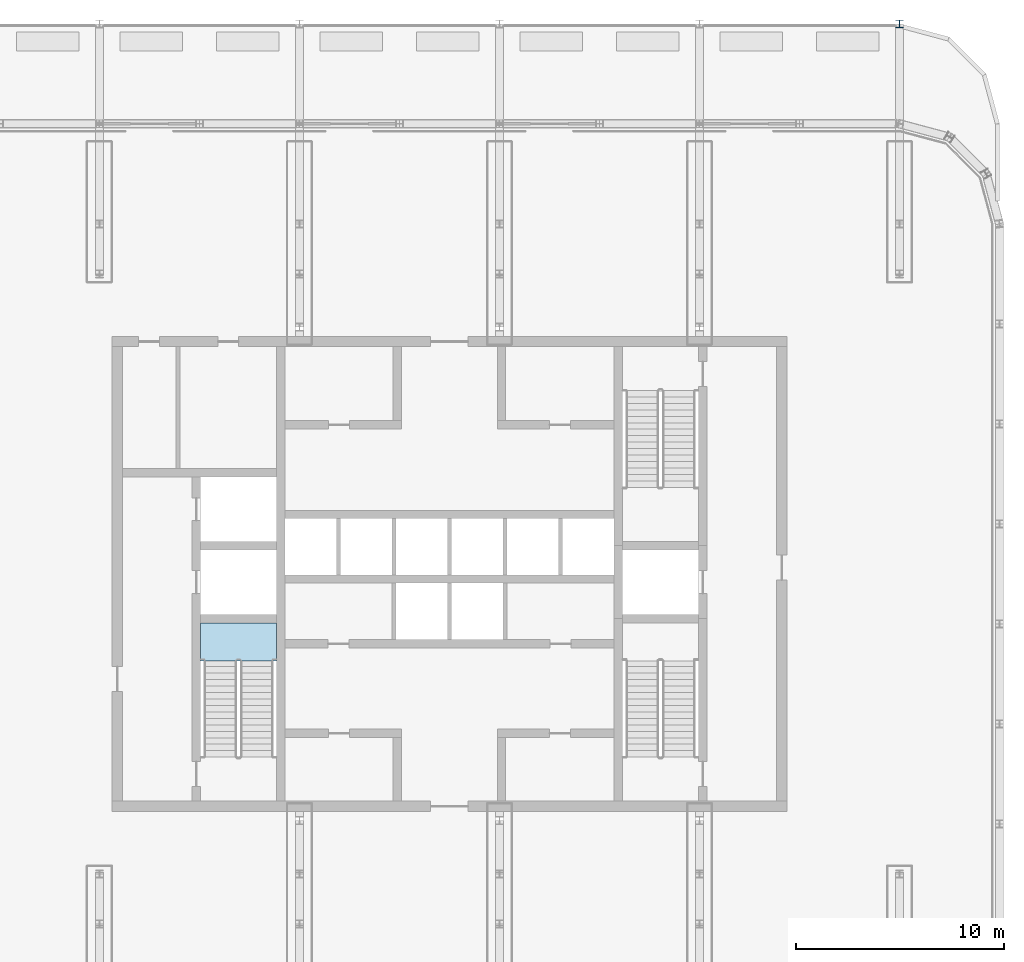
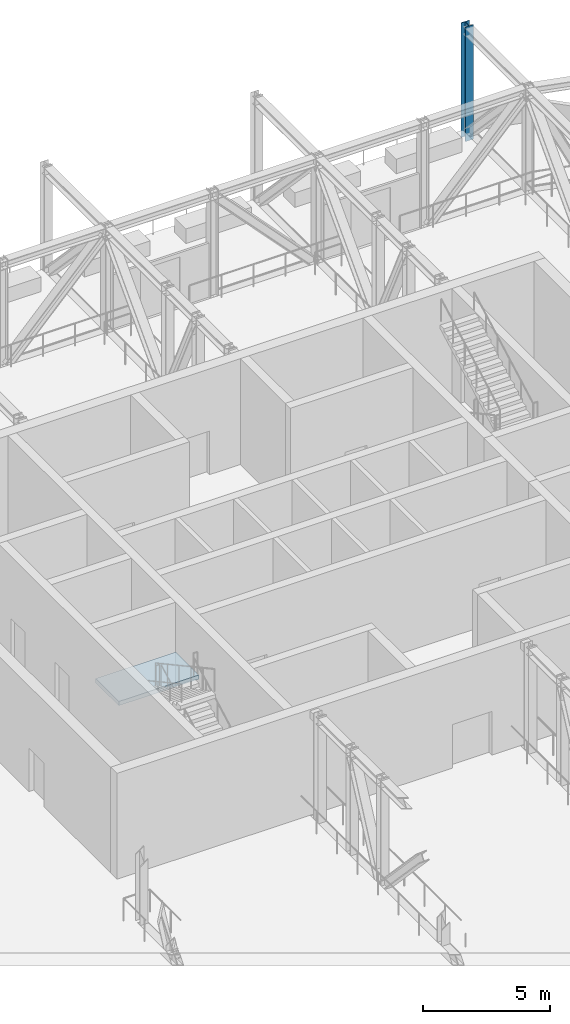
# One storey, part 7 of 16: 1 member, 1 slab, 1 element without a shape of its own.
"""IFC4 building model written with IfcOpenShell, lengths in metres."""

from ifc_helpers import new_model, si_unit, direction, frame, origin, origin_2d, place, context, subcontext, project, spatial, polyline, i_section, outline, extrude, material, layer, layer_set, material_profile, profile_set, type_object, element, aggregate, save


model = new_model("IFC4")

# Units and contexts
model_context = context("Model", 3, precision=1e-05, world=origin(), true_north=direction((0.0, 1.0)))
body_context = subcontext(model_context, "Body", "Model", "MODEL_VIEW")
ifc_project = project(units=[si_unit("LENGTHUNIT", "METRE"), si_unit("AREAUNIT", "SQUARE_METRE"), si_unit("VOLUMEUNIT", "CUBIC_METRE"), si_unit("PLANEANGLEUNIT", "RADIAN"), si_unit("MASSUNIT", "GRAM", prefix="KILO")], contexts=[model_context])

# Site, building, storey
site_placement = place(None, origin())
site = spatial("IfcSite", under=ifc_project, at=site_placement, CompositionType="ELEMENT")
building_placement = place(site_placement, origin())
building = spatial("IfcBuilding", under=site, at=building_placement, Name="Madar Terraces", CompositionType="ELEMENT")
storey_placement = place(building_placement, frame((0.0, 0.0, 263.199951171875)))
storey = spatial("IfcBuildingStorey", under=building, at=storey_placement, Name="L69", CompositionType="ELEMENT", Elevation=263.199951171875)

# Member
ifc_material_1 = material(Name="Steel ASTM A992 Grade 50", Category="steel")
ifc_material_profile = material_profile(ifc_material_1, i_section(OverallWidth=0.370849609375, OverallDepth=0.36328125, WebThickness=0.013427734375, FlangeThickness=0.021728515625, at=origin_2d()), Name="W14x109")
ifc_profile_set = profile_set([ifc_material_profile], Name="Steel ASTM A992 Grade 50")
member_type = type_object("IfcMemberType", Name="TV9 W14x109", PredefinedType="POST", material=ifc_profile_set)
member_placement = place(storey_placement, frame((52.800048828125, 52.800048828125, -0.419921875), z_axis=(0.0, 0.0, 1.0), x_axis=(-1.0, 0.0, 0.0)))
element("IfcMember", 1, at=member_placement, inside=storey, type_object=member_type, Name="Exoskeleton truss cross N52.8 post TV9", PredefinedType="POST", context=body_context, shape_type="SweptSolid", body=[
    extrude(i_section(OverallWidth=0.370849609375, OverallDepth=0.36328125, WebThickness=0.013427734375, FlangeThickness=0.021728515625, at=origin_2d()), origin(), (0.0, 0.0, 1.0), 5.52001953125),
])

# Stair, slab
ifc_material_2 = material(Name="Concrete C50/60", Category="concrete")
stair_type = type_object("IfcStairType", Name="Stair ST1 protected exit", PredefinedType="HALF_TURN_STAIR", material=ifc_material_2)
stair_placement = place(storey_placement, origin())
stair = element("IfcStair", 2, at=stair_placement, inside=storey, type_object=stair_type, Name="L69 Protected Exit Stair ST1", PredefinedType="HALF_TURN_STAIR")
ifc_material_3 = material(Name="Concrete C50/60", Category="concrete")
ifc_layer = layer(ifc_material_3, 0.199951171875)
ifc_layer_set = layer_set([ifc_layer], Name="Stair landing 200, top +2.70")
slab_type = type_object("IfcSlabType", Name="Stair landing 200, top +2.70", PredefinedType="LANDING", material=ifc_layer_set)
slab_placement = place(storey_placement, frame((0.0, 0.0, 2.5)))
slab = element("IfcSlab", 3, at=slab_placement, type_object=slab_type, Name="ST1 landing 1", PredefinedType="LANDING", context=body_context, shape_type="SweptSolid", body=[
    extrude(outline(polyline([(19.25, 22.219970703125), (22.89990234375, 22.219970703125), (22.89990234375, 24.050048828125), (19.25, 24.050048828125), (19.25, 22.219970703125)])), origin(), (0.0, 0.0, 1.0), 0.199951171875),
])
aggregate(stair, [slab])

save(model, "model.ifc")
